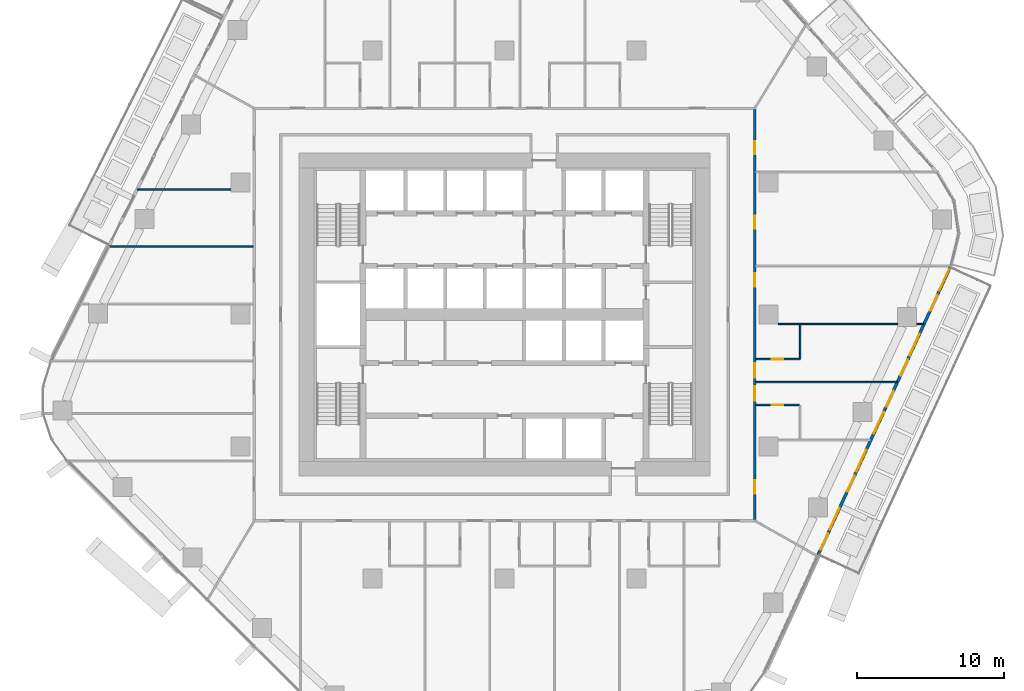
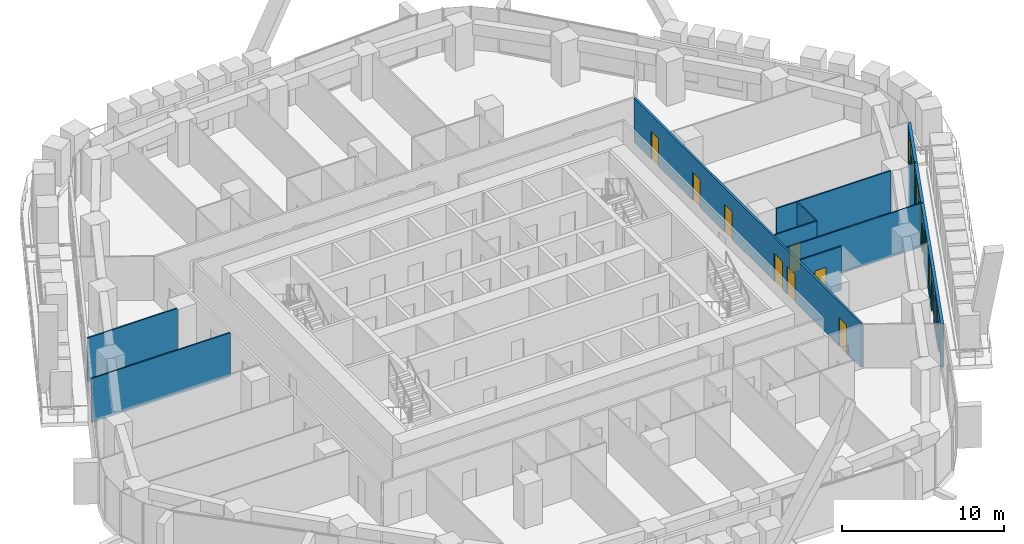
# One storey, part 14 of 25: 13 doors, 10 walls, 5 windows, 18 openings.
"""IFC4 building model written with IfcOpenShell, lengths in metres."""

from ifc_helpers import new_model, si_unit, direction, frame, frame_2d, origin, place, context, subcontext, project, spatial, rectangle, extrude, material, layer, layer_set, type_object, element, fill, save


model = new_model("IFC4")

# Units and contexts
model_context = context("Model", 3, precision=1e-05, world=origin(), true_north=direction((0.0, 1.0)))
body_context = subcontext(model_context, "Body", "Model", "MODEL_VIEW")
ifc_project = project(units=[si_unit("LENGTHUNIT", "METRE"), si_unit("AREAUNIT", "SQUARE_METRE"), si_unit("VOLUMEUNIT", "CUBIC_METRE"), si_unit("PLANEANGLEUNIT", "RADIAN"), si_unit("MASSUNIT", "GRAM", prefix="KILO")], contexts=[model_context])

# Site, building, storey
site_placement = place(None, origin())
site = spatial("IfcSite", under=ifc_project, at=site_placement, CompositionType="ELEMENT")
building_placement = place(site_placement, origin())
building = spatial("IfcBuilding", under=site, at=building_placement, Name="Dongbaek Canopy Tower", CompositionType="ELEMENT")
storey_placement = place(building_placement, frame((0.0, 0.0, 102.60009765625)))
storey = spatial("IfcBuildingStorey", under=building, at=storey_placement, Name="L21", CompositionType="ELEMENT", Elevation=102.60009765625)

# Wall, openings, doors
ifc_material_1 = material(Name="Gypsum board partition, steel stud, 2 x 15 mm fire board", Category="steel")
ifc_layer_1 = layer(ifc_material_1, 0.14990234375)
ifc_layer_set_1 = layer_set([ifc_layer_1], Name="Fire-rated partition 150 gypsum board")
wall_type_1 = type_object("IfcWallType", Name="Fire-rated partition 150 gypsum board", PredefinedType="PARTITIONING", material=ifc_layer_set_1)
wall_1_placement = place(storey_placement, frame((17.050048828125, 13.97509765625, 0.0), z_axis=(0.0, 0.0, 1.0), x_axis=(0.0, -1.0, 0.0)))
wall_1 = element("IfcWall", 1, at=wall_1_placement, inside=storey, type_object=wall_type_1, Name="Corridor partition", PredefinedType="PARTITIONING", context=body_context, shape_type="SweptSolid", body=[
    extrude(rectangle(XDim=27.9501953125, YDim=0.14990234375, at=frame_2d((13.97509765625, 0.0))), origin(), (0.0, 0.0, 1.0), 3.2998046875),
])
opening_1_placement = place(wall_1_placement, frame((25.273681640625, 0.0, 0.0)))
opening_1 = element("IfcOpeningElement", 2, at=opening_1_placement, cuts=wall_1, Name="Opening L21-D017", PredefinedType="OPENING", context=body_context, shape_type="SweptSolid", body=[
    extrude(rectangle(XDim=0.89990234375, YDim=2.10009765625, at=frame_2d((0.449951171875, 1.050048828125))), frame((0.0, 0.0849609375, 0.0), z_axis=(0.0, -1.0, 0.0), x_axis=(1.0, 0.0, 0.0)), (0.0, 0.0, 1.0), 0.169921875),
])
opening_2_placement = place(wall_1_placement, frame((18.85400390625, 0.0, 0.0)))
opening_2 = element("IfcOpeningElement", 3, at=opening_2_placement, cuts=wall_1, Name="Opening L21-D019", PredefinedType="OPENING", context=body_context, shape_type="SweptSolid", body=[
    extrude(rectangle(XDim=1.0, YDim=2.10009765625, at=frame_2d((0.5, 1.050048828125))), frame((0.0, 0.0849609375, 0.0), z_axis=(0.0, -1.0, 0.0), x_axis=(1.0, 0.0, 0.0)), (0.0, 0.0, 1.0), 0.169921875),
])
opening_3_placement = place(wall_1_placement, frame((17.298583984375, 0.0, 0.0)))
opening_3 = element("IfcOpeningElement", 4, at=opening_3_placement, cuts=wall_1, Name="Opening L21-D021", PredefinedType="OPENING", context=body_context, shape_type="SweptSolid", body=[
    extrude(rectangle(XDim=1.0, YDim=2.10009765625, at=frame_2d((0.5, 1.050048828125))), frame((0.0, 0.0849609375, 0.0), z_axis=(0.0, -1.0, 0.0), x_axis=(1.0, 0.0, 0.0)), (0.0, 0.0, 1.0), 0.169921875),
])
opening_4_placement = place(wall_1_placement, frame((11.170654296875, 0.0, 0.0)))
opening_4 = element("IfcOpeningElement", 5, at=opening_4_placement, cuts=wall_1, Name="Opening L21-D022", PredefinedType="OPENING", context=body_context, shape_type="SweptSolid", body=[
    extrude(rectangle(XDim=0.89990234375, YDim=2.10009765625, at=frame_2d((0.449951171875, 1.050048828125))), frame((0.0, 0.0849609375, 0.0), z_axis=(0.0, -1.0, 0.0), x_axis=(1.0, 0.0, 0.0)), (0.0, 0.0, 1.0), 0.169921875),
])
opening_5_placement = place(wall_1_placement, frame((7.242919921875, 0.0, 0.0)))
opening_5 = element("IfcOpeningElement", 6, at=opening_5_placement, cuts=wall_1, Name="Opening L21-D023", PredefinedType="OPENING", context=body_context, shape_type="SweptSolid", body=[
    extrude(rectangle(XDim=0.89990234375, YDim=2.10009765625, at=frame_2d((0.449951171875, 1.050048828125))), frame((0.0, 0.0849609375, 0.0), z_axis=(0.0, -1.0, 0.0), x_axis=(1.0, 0.0, 0.0)), (0.0, 0.0, 1.0), 0.169921875),
])
opening_6_placement = place(wall_1_placement, frame((2.15283203125, 0.0, 0.0)))
opening_6 = element("IfcOpeningElement", 7, at=opening_6_placement, cuts=wall_1, Name="Opening L21-D024", PredefinedType="OPENING", context=body_context, shape_type="SweptSolid", body=[
    extrude(rectangle(XDim=0.89990234375, YDim=2.10009765625, at=frame_2d((0.449951171875, 1.050048828125))), frame((0.0, 0.0849609375, 0.0), z_axis=(0.0, -1.0, 0.0), x_axis=(1.0, 0.0, 0.0)), (0.0, 0.0, 1.0), 0.169921875),
])
ifc_material_2 = material(Name="Timber veneered door leaf", Category="wood")
door_type_1 = type_object("IfcDoorType", Name="Guest room door 1000 x 2100", OperationType="SINGLE_SWING_LEFT", PredefinedType="DOOR", material=ifc_material_2)
door_1_placement = place(opening_2_placement, origin())
door_1 = element("IfcDoor", 8, at=door_1_placement, inside=storey, type_object=door_type_1, Name="Door L21-D019", OperationType="SINGLE_SWING_RIGHT", OverallHeight=2.10009765625, OverallWidth=1.0, PredefinedType="DOOR", context=body_context, shape_type="SweptSolid", body=[
    extrude(rectangle(XDim=1.0, YDim=2.10009765625, at=frame_2d((0.5, 1.050048828125))), frame((0.0, 0.02490234375, 0.0), z_axis=(0.0, -1.0, 0.0), x_axis=(1.0, 0.0, 0.0)), (0.0, 0.0, 1.0), 0.050048828125),
])
fill(opening_2, door_1)
door_2_placement = place(opening_3_placement, origin())
door_2 = element("IfcDoor", 9, at=door_2_placement, inside=storey, type_object=door_type_1, Name="Door L21-D021", OperationType="SINGLE_SWING_LEFT", OverallHeight=2.10009765625, OverallWidth=1.0, PredefinedType="DOOR", context=body_context, shape_type="SweptSolid", body=[
    extrude(rectangle(XDim=1.0, YDim=2.10009765625, at=frame_2d((0.5, 1.050048828125))), frame((0.0, 0.02490234375, 0.0), z_axis=(0.0, -1.0, 0.0), x_axis=(1.0, 0.0, 0.0)), (0.0, 0.0, 1.0), 0.050048828125),
])
fill(opening_3, door_2)
ifc_material_3 = material(Name="Timber veneered door leaf", Category="wood")
door_type_2 = type_object("IfcDoorType", Name="Room door 900 x 2100", OperationType="SINGLE_SWING_LEFT", PredefinedType="DOOR", material=ifc_material_3)
door_3_placement = place(opening_1_placement, origin())
door_3 = element("IfcDoor", 10, at=door_3_placement, inside=storey, type_object=door_type_2, Name="Door L21-D017", OperationType="SINGLE_SWING_LEFT", OverallHeight=2.10009765625, OverallWidth=0.89990234375, PredefinedType="DOOR", context=body_context, shape_type="SweptSolid", body=[
    extrude(rectangle(XDim=0.89990234375, YDim=2.10009765625, at=frame_2d((0.449951171875, 1.050048828125))), frame((0.0, 0.02490234375, 0.0), z_axis=(0.0, -1.0, 0.0), x_axis=(1.0, 0.0, 0.0)), (0.0, 0.0, 1.0), 0.050048828125),
])
fill(opening_1, door_3)
door_4_placement = place(opening_4_placement, origin())
door_4 = element("IfcDoor", 11, at=door_4_placement, inside=storey, type_object=door_type_2, Name="Door L21-D022", OperationType="SINGLE_SWING_RIGHT", OverallHeight=2.10009765625, OverallWidth=0.89990234375, PredefinedType="DOOR", context=body_context, shape_type="SweptSolid", body=[
    extrude(rectangle(XDim=0.89990234375, YDim=2.10009765625, at=frame_2d((0.449951171875, 1.050048828125))), frame((0.0, 0.02490234375, 0.0), z_axis=(0.0, -1.0, 0.0), x_axis=(1.0, 0.0, 0.0)), (0.0, 0.0, 1.0), 0.050048828125),
])
fill(opening_4, door_4)
door_5_placement = place(opening_5_placement, origin())
door_5 = element("IfcDoor", 12, at=door_5_placement, inside=storey, type_object=door_type_2, Name="Door L21-D023", OperationType="SINGLE_SWING_LEFT", OverallHeight=2.10009765625, OverallWidth=0.89990234375, PredefinedType="DOOR", context=body_context, shape_type="SweptSolid", body=[
    extrude(rectangle(XDim=0.89990234375, YDim=2.10009765625, at=frame_2d((0.449951171875, 1.050048828125))), frame((0.0, 0.02490234375, 0.0), z_axis=(0.0, -1.0, 0.0), x_axis=(1.0, 0.0, 0.0)), (0.0, 0.0, 1.0), 0.050048828125),
])
fill(opening_5, door_5)
door_6_placement = place(opening_6_placement, origin())
door_6 = element("IfcDoor", 13, at=door_6_placement, inside=storey, type_object=door_type_2, Name="Door L21-D024", OperationType="SINGLE_SWING_RIGHT", OverallHeight=2.10009765625, OverallWidth=0.89990234375, PredefinedType="DOOR", context=body_context, shape_type="SweptSolid", body=[
    extrude(rectangle(XDim=0.89990234375, YDim=2.10009765625, at=frame_2d((0.449951171875, 1.050048828125))), frame((0.0, 0.02490234375, 0.0), z_axis=(0.0, -1.0, 0.0), x_axis=(1.0, 0.0, 0.0)), (0.0, 0.0, 1.0), 0.050048828125),
])
fill(opening_6, door_6)

# Wall, opening, door
ifc_material_4 = material(Name="Gypsum board partition, steel stud, 2 x 12.5 mm board", Category="steel")
ifc_layer_2 = layer(ifc_material_4, 0.10009765625)
ifc_layer_set_2 = layer_set([ifc_layer_2], Name="Partition 100 gypsum board")
wall_type_2 = type_object("IfcWallType", Name="Partition 100 gypsum board", PredefinedType="PARTITIONING", material=ifc_layer_set_2)
wall_2_placement = place(storey_placement, frame((20.10009765625, -6.156982421875, 0.0), z_axis=(0.0, 0.0, 1.0), x_axis=(-1.0, 0.0, 0.0)))
wall_2 = element("IfcWall", 14, at=wall_2_placement, inside=storey, type_object=wall_type_2, Name="Partition", PredefinedType="PARTITIONING", context=body_context, shape_type="SweptSolid", body=[
    extrude(rectangle(XDim=2.97509765625, YDim=0.10009765625, at=frame_2d((1.487548828125, 0.0))), origin(), (0.0, 0.0, 1.0), 3.2998046875),
])
opening_7_placement = place(wall_2_placement, frame((1.10009765625, 0.0, 0.0)))
opening_7 = element("IfcOpeningElement", 15, at=opening_7_placement, cuts=wall_2, Name="Opening L21-D018", PredefinedType="OPENING", context=body_context, shape_type="SweptSolid", body=[
    extrude(rectangle(XDim=0.800048828125, YDim=2.10009765625, at=frame_2d((0.39990234375, 1.050048828125))), frame((0.0, 0.06005859375, 0.0), z_axis=(0.0, -1.0, 0.0), x_axis=(1.0, 0.0, 0.0)), (0.0, 0.0, 1.0), 0.1201171875),
])
ifc_material_5 = material(Name="Timber veneered door leaf", Category="wood")
door_type_3 = type_object("IfcDoorType", Name="En-suite door 800 x 2100", OperationType="SINGLE_SWING_LEFT", PredefinedType="DOOR", material=ifc_material_5)
door_7_placement = place(opening_7_placement, origin())
door_7 = element("IfcDoor", 16, at=door_7_placement, inside=storey, type_object=door_type_3, Name="Door L21-D018", OperationType="SINGLE_SWING_LEFT", OverallHeight=2.10009765625, OverallWidth=0.800048828125, PredefinedType="DOOR", context=body_context, shape_type="SweptSolid", body=[
    extrude(rectangle(XDim=0.800048828125, YDim=2.10009765625, at=frame_2d((0.39990234375, 1.050048828125))), frame((0.0, 0.02490234375, 0.0), z_axis=(0.0, -1.0, 0.0), x_axis=(1.0, 0.0, 0.0)), (0.0, 0.0, 1.0), 0.050048828125),
])
fill(opening_7, door_7)

# Wall
wall_3_placement = place(storey_placement, frame((17.125, -4.60107421875, 0.0), z_axis=(0.0, 0.0, 1.0), x_axis=(1.0, 0.0, 0.0)))
element("IfcWall", 17, at=wall_3_placement, inside=storey, type_object=wall_type_2, Name="Partition", PredefinedType="PARTITIONING", context=body_context, shape_type="SweptSolid", body=[
    extrude(rectangle(XDim=9.628662109375, YDim=0.10009765625, at=frame_2d((4.814453125, 0.0))), origin(), (0.0, 0.0, 1.0), 3.2998046875),
])

# Wall, opening, door
wall_4_placement = place(storey_placement, frame((17.125, -3.0458984375, 0.0), z_axis=(0.0, 0.0, 1.0), x_axis=(1.0, 0.0, 0.0)))
wall_4 = element("IfcWall", 18, at=wall_4_placement, inside=storey, type_object=wall_type_2, Name="Partition", PredefinedType="PARTITIONING", context=body_context, shape_type="SweptSolid", body=[
    extrude(rectangle(XDim=3.02490234375, YDim=0.10009765625, at=frame_2d((1.512451171875, 0.0))), origin(), (0.0, 0.0, 1.0), 3.2998046875),
])
opening_8_placement = place(wall_4_placement, frame((1.074951171875, 0.0, 0.0)))
opening_8 = element("IfcOpeningElement", 19, at=opening_8_placement, cuts=wall_4, Name="Opening L21-D020", PredefinedType="OPENING", context=body_context, shape_type="SweptSolid", body=[
    extrude(rectangle(XDim=0.800048828125, YDim=2.10009765625, at=frame_2d((0.39990234375, 1.050048828125))), frame((0.0, 0.06005859375, 0.0), z_axis=(0.0, -1.0, 0.0), x_axis=(1.0, 0.0, 0.0)), (0.0, 0.0, 1.0), 0.1201171875),
])
door_8_placement = place(opening_8_placement, origin())
door_8 = element("IfcDoor", 20, at=door_8_placement, inside=storey, type_object=door_type_3, Name="Door L21-D020", OperationType="SINGLE_SWING_RIGHT", OverallHeight=2.10009765625, OverallWidth=0.800048828125, PredefinedType="DOOR", context=body_context, shape_type="SweptSolid", body=[
    extrude(rectangle(XDim=0.800048828125, YDim=2.10009765625, at=frame_2d((0.39990234375, 1.050048828125))), frame((0.0, 0.02490234375, 0.0), z_axis=(0.0, -1.0, 0.0), x_axis=(1.0, 0.0, 0.0)), (0.0, 0.0, 1.0), 0.050048828125),
])
fill(opening_8, door_8)

# Walls
wall_5_placement = place(storey_placement, frame((18.64990234375, -0.64599609375, 0.0), z_axis=(0.0, 0.0, 1.0), x_axis=(1.0, 0.0, 0.0)))
element("IfcWall", 21, at=wall_5_placement, inside=storey, type_object=wall_type_2, Name="Partition", PredefinedType="PARTITIONING", context=body_context, shape_type="SweptSolid", body=[
    extrude(rectangle(XDim=8.135986328125, YDim=0.10009765625, at=frame_2d((4.06787109375, 0.0))), origin(), (0.0, 0.0, 1.0), 3.2998046875),
])
wall_6_placement = place(storey_placement, frame((28.0859375, -0.64599609375, 0.0), z_axis=(0.0, 0.0, 1.0), x_axis=(1.0, 0.0, 0.0)))
element("IfcWall", 22, at=wall_6_placement, inside=storey, type_object=wall_type_2, Name="Partition", PredefinedType="PARTITIONING", context=body_context, shape_type="SweptSolid", body=[
    extrude(rectangle(XDim=0.483154296875, YDim=0.10009765625, at=frame_2d((0.24169921875, 0.0))), origin(), (0.0, 0.0, 1.0), 3.2998046875),
])
wall_7_placement = place(storey_placement, frame((-26.965087890625, 4.6279296875, 0.0), z_axis=(0.0, 0.0, 1.0), x_axis=(1.0, 0.0, 0.0)))
element("IfcWall", 23, at=wall_7_placement, inside=storey, type_object=wall_type_2, Name="Partition", PredefinedType="PARTITIONING", context=body_context, shape_type="SweptSolid", body=[
    extrude(rectangle(XDim=9.840087890625, YDim=0.10009765625, at=frame_2d((4.919921875, 0.0))), origin(), (0.0, 0.0, 1.0), 3.2998046875),
])
wall_8_placement = place(storey_placement, frame((-25.013427734375, 8.52294921875, 0.0), z_axis=(0.0, 0.0, 1.0), x_axis=(1.0, 0.0, 0.0)))
element("IfcWall", 24, at=wall_8_placement, inside=storey, type_object=wall_type_2, Name="Partition", PredefinedType="PARTITIONING", context=body_context, shape_type="SweptSolid", body=[
    extrude(rectangle(XDim=6.363525390625, YDim=0.10009765625, at=frame_2d((3.181640625, 0.0))), origin(), (0.0, 0.0, 1.0), 3.2998046875),
])
wall_9_placement = place(storey_placement, frame((20.14990234375, -2.99560546875, 0.0), z_axis=(0.0, 0.0, 1.0), x_axis=(0.0, 1.0, 0.0)))
element("IfcWall", 25, at=wall_9_placement, inside=storey, type_object=wall_type_2, Name="Partition", PredefinedType="PARTITIONING", context=body_context, shape_type="SweptSolid", body=[
    extrude(rectangle(XDim=2.299560546875, YDim=0.10009765625, at=frame_2d((1.14990234375, 0.0))), origin(), (0.0, 0.0, 1.0), 3.2998046875),
])

# Wall, openings, doors, windows
ifc_material_6 = material(Name="Aluminium window wall", Category="aluminium")
ifc_layer_3 = layer(ifc_material_6, 0.199951171875)
ifc_layer_set_3 = layer_set([ifc_layer_3], Name="Window wall 200")
wall_type_3 = type_object("IfcWallType", Name="Window wall 200", PredefinedType="SOLIDWALL", material=ifc_layer_set_3)
wall_10_placement = place(storey_placement, frame((21.329345703125, -16.468017578125, 0.0), z_axis=(0.0, 0.0, 1.0), x_axis=(0.417117833448, 0.908852415423, 0.0)))
wall_10 = element("IfcWall", 26, at=wall_10_placement, inside=storey, type_object=wall_type_3, Name="Window wall L21 5", PredefinedType="SOLIDWALL", context=body_context, shape_type="SweptSolid", body=[
    extrude(rectangle(XDim=21.761474609375, YDim=0.199951171875, at=frame_2d((10.880859375, 0.0))), origin(), (0.0, 0.0, 1.0), 3.25),
])
opening_9_placement = place(wall_10_placement, frame((2.0, 0.0, 0.60009765625)))
opening_9 = element("IfcOpeningElement", 27, at=opening_9_placement, cuts=wall_10, Name="Opening W1", PredefinedType="OPENING", context=body_context, shape_type="SweptSolid", body=[
    extrude(rectangle(XDim=1.60009765625, YDim=2.39990234375, at=frame_2d((0.800048828125, 1.199951171875))), frame((0.0, 0.10986328125, 0.0), z_axis=(0.0, -1.0, 0.0), x_axis=(1.0, 0.0, 0.0)), (0.0, 0.0, 1.0), 0.219970703125),
])
opening_10_placement = place(wall_10_placement, frame((0.5, 0.0, 0.0)))
opening_10 = element("IfcOpeningElement", 28, at=opening_10_placement, cuts=wall_10, Name="Opening L21-B15", PredefinedType="OPENING", context=body_context, shape_type="SweptSolid", body=[
    extrude(rectangle(XDim=1.199951171875, YDim=2.39990234375, at=frame_2d((0.60009765625, 1.199951171875))), frame((0.0, 0.10986328125, 0.0), z_axis=(0.0, -1.0, 0.0), x_axis=(1.0, 0.0, 0.0)), (0.0, 0.0, 1.0), 0.219970703125),
])
opening_11_placement = place(wall_10_placement, frame((6.352294921875, 0.0, 0.60009765625)))
opening_11 = element("IfcOpeningElement", 29, at=opening_11_placement, cuts=wall_10, Name="Opening W1", PredefinedType="OPENING", context=body_context, shape_type="SweptSolid", body=[
    extrude(rectangle(XDim=1.60009765625, YDim=2.39990234375, at=frame_2d((0.800048828125, 1.199951171875))), frame((0.0, 0.10986328125, 0.0), z_axis=(0.0, -1.0, 0.0), x_axis=(1.0, 0.0, 0.0)), (0.0, 0.0, 1.0), 0.219970703125),
])
opening_12_placement = place(wall_10_placement, frame((4.852294921875, 0.0, 0.0)))
opening_12 = element("IfcOpeningElement", 30, at=opening_12_placement, cuts=wall_10, Name="Opening L21-B16", PredefinedType="OPENING", context=body_context, shape_type="SweptSolid", body=[
    extrude(rectangle(XDim=1.199951171875, YDim=2.39990234375, at=frame_2d((0.60009765625, 1.199951171875))), frame((0.0, 0.10986328125, 0.0), z_axis=(0.0, -1.0, 0.0), x_axis=(1.0, 0.0, 0.0)), (0.0, 0.0, 1.0), 0.219970703125),
])
opening_13_placement = place(wall_10_placement, frame((9.20458984375, 0.0, 0.60009765625)))
opening_13 = element("IfcOpeningElement", 31, at=opening_13_placement, cuts=wall_10, Name="Opening W1", PredefinedType="OPENING", context=body_context, shape_type="SweptSolid", body=[
    extrude(rectangle(XDim=1.60009765625, YDim=2.39990234375, at=frame_2d((0.800048828125, 1.199951171875))), frame((0.0, 0.10986328125, 0.0), z_axis=(0.0, -1.0, 0.0), x_axis=(1.0, 0.0, 0.0)), (0.0, 0.0, 1.0), 0.219970703125),
])
opening_14_placement = place(wall_10_placement, frame((11.20458984375, 0.0, 0.0)))
opening_14 = element("IfcOpeningElement", 32, at=opening_14_placement, cuts=wall_10, Name="Opening L21-B17", PredefinedType="OPENING", context=body_context, shape_type="SweptSolid", body=[
    extrude(rectangle(XDim=1.199951171875, YDim=2.39990234375, at=frame_2d((0.60009765625, 1.199951171875))), frame((0.0, 0.10986328125, 0.0), z_axis=(0.0, -1.0, 0.0), x_axis=(1.0, 0.0, 0.0)), (0.0, 0.0, 1.0), 0.219970703125),
])
opening_15_placement = place(wall_10_placement, frame((15.05712890625, 0.0, 0.60009765625)))
opening_15 = element("IfcOpeningElement", 33, at=opening_15_placement, cuts=wall_10, Name="Opening W1", PredefinedType="OPENING", context=body_context, shape_type="SweptSolid", body=[
    extrude(rectangle(XDim=1.60009765625, YDim=2.39990234375, at=frame_2d((0.800048828125, 1.199951171875))), frame((0.0, 0.10986328125, 0.0), z_axis=(0.0, -1.0, 0.0), x_axis=(1.0, 0.0, 0.0)), (0.0, 0.0, 1.0), 0.219970703125),
])
opening_16_placement = place(wall_10_placement, frame((13.55712890625, 0.0, 0.0)))
opening_16 = element("IfcOpeningElement", 34, at=opening_16_placement, cuts=wall_10, Name="Opening L21-B18", PredefinedType="OPENING", context=body_context, shape_type="SweptSolid", body=[
    extrude(rectangle(XDim=1.199951171875, YDim=2.39990234375, at=frame_2d((0.60009765625, 1.199951171875))), frame((0.0, 0.10986328125, 0.0), z_axis=(0.0, -1.0, 0.0), x_axis=(1.0, 0.0, 0.0)), (0.0, 0.0, 1.0), 0.219970703125),
])
opening_17_placement = place(wall_10_placement, frame((19.909423828125, 0.0, 0.60009765625)))
opening_17 = element("IfcOpeningElement", 35, at=opening_17_placement, cuts=wall_10, Name="Opening W1", PredefinedType="OPENING", context=body_context, shape_type="SweptSolid", body=[
    extrude(rectangle(XDim=1.60009765625, YDim=2.39990234375, at=frame_2d((0.800048828125, 1.199951171875))), frame((0.0, 0.10986328125, 0.0), z_axis=(0.0, -1.0, 0.0), x_axis=(1.0, 0.0, 0.0)), (0.0, 0.0, 1.0), 0.219970703125),
])
opening_18_placement = place(wall_10_placement, frame((18.409423828125, 0.0, 0.0)))
opening_18 = element("IfcOpeningElement", 36, at=opening_18_placement, cuts=wall_10, Name="Opening L21-B19", PredefinedType="OPENING", context=body_context, shape_type="SweptSolid", body=[
    extrude(rectangle(XDim=1.199951171875, YDim=2.39990234375, at=frame_2d((0.60009765625, 1.199951171875))), frame((0.0, 0.10986328125, 0.0), z_axis=(0.0, -1.0, 0.0), x_axis=(1.0, 0.0, 0.0)), (0.0, 0.0, 1.0), 0.219970703125),
])
ifc_material_7 = material(Name="Clear glazing in aluminium frame", Category="aluminium")
door_type_4 = type_object("IfcDoorType", Name="Balcony door BD1 1200 x 2400", OperationType="SLIDING_TO_LEFT", PredefinedType="DOOR", material=ifc_material_7)
door_9_placement = place(opening_10_placement, origin())
door_9 = element("IfcDoor", 37, at=door_9_placement, inside=storey, type_object=door_type_4, Name="Balcony door L21-B15", OperationType="SLIDING_TO_LEFT", OverallHeight=2.39990234375, OverallWidth=1.199951171875, PredefinedType="DOOR", context=body_context, shape_type="SweptSolid", body=[
    extrude(rectangle(XDim=1.199951171875, YDim=2.39990234375, at=frame_2d((0.60009765625, 1.199951171875))), frame((0.0, 0.02490234375, 0.0), z_axis=(0.0, -1.0, 0.0), x_axis=(1.0, 0.0, 0.0)), (0.0, 0.0, 1.0), 0.050048828125),
])
fill(opening_10, door_9)
door_10_placement = place(opening_12_placement, origin())
door_10 = element("IfcDoor", 38, at=door_10_placement, inside=storey, type_object=door_type_4, Name="Balcony door L21-B16", OperationType="SLIDING_TO_LEFT", OverallHeight=2.39990234375, OverallWidth=1.199951171875, PredefinedType="DOOR", context=body_context, shape_type="SweptSolid", body=[
    extrude(rectangle(XDim=1.199951171875, YDim=2.39990234375, at=frame_2d((0.60009765625, 1.199951171875))), frame((0.0, 0.02490234375, 0.0), z_axis=(0.0, -1.0, 0.0), x_axis=(1.0, 0.0, 0.0)), (0.0, 0.0, 1.0), 0.050048828125),
])
fill(opening_12, door_10)
door_11_placement = place(opening_14_placement, origin())
door_11 = element("IfcDoor", 39, at=door_11_placement, inside=storey, type_object=door_type_4, Name="Balcony door L21-B17", OperationType="SLIDING_TO_LEFT", OverallHeight=2.39990234375, OverallWidth=1.199951171875, PredefinedType="DOOR", context=body_context, shape_type="SweptSolid", body=[
    extrude(rectangle(XDim=1.199951171875, YDim=2.39990234375, at=frame_2d((0.60009765625, 1.199951171875))), frame((0.0, 0.02490234375, 0.0), z_axis=(0.0, -1.0, 0.0), x_axis=(1.0, 0.0, 0.0)), (0.0, 0.0, 1.0), 0.050048828125),
])
fill(opening_14, door_11)
door_12_placement = place(opening_16_placement, origin())
door_12 = element("IfcDoor", 40, at=door_12_placement, inside=storey, type_object=door_type_4, Name="Balcony door L21-B18", OperationType="SLIDING_TO_LEFT", OverallHeight=2.39990234375, OverallWidth=1.199951171875, PredefinedType="DOOR", context=body_context, shape_type="SweptSolid", body=[
    extrude(rectangle(XDim=1.199951171875, YDim=2.39990234375, at=frame_2d((0.60009765625, 1.199951171875))), frame((0.0, 0.02490234375, 0.0), z_axis=(0.0, -1.0, 0.0), x_axis=(1.0, 0.0, 0.0)), (0.0, 0.0, 1.0), 0.050048828125),
])
fill(opening_16, door_12)
door_13_placement = place(opening_18_placement, origin())
door_13 = element("IfcDoor", 41, at=door_13_placement, inside=storey, type_object=door_type_4, Name="Balcony door L21-B19", OperationType="SLIDING_TO_LEFT", OverallHeight=2.39990234375, OverallWidth=1.199951171875, PredefinedType="DOOR", context=body_context, shape_type="SweptSolid", body=[
    extrude(rectangle(XDim=1.199951171875, YDim=2.39990234375, at=frame_2d((0.60009765625, 1.199951171875))), frame((0.0, 0.02490234375, 0.0), z_axis=(0.0, -1.0, 0.0), x_axis=(1.0, 0.0, 0.0)), (0.0, 0.0, 1.0), 0.050048828125),
])
fill(opening_18, door_13)
ifc_material_8 = material(Name="Clear glazing in aluminium frame", Category="aluminium")
window_type = type_object("IfcWindowType", Name="Window W1 1600 x 2400", PartitioningType="SINGLE_PANEL", PredefinedType="WINDOW", material=ifc_material_8)
window_1_placement = place(opening_9_placement, origin())
window_1 = element("IfcWindow", 42, at=window_1_placement, inside=storey, type_object=window_type, Name="Window L21 5.1", OverallHeight=2.39990234375, OverallWidth=1.60009765625, PartitioningType="SINGLE_PANEL", PredefinedType="WINDOW", context=body_context, shape_type="SweptSolid", body=[
    extrude(rectangle(XDim=1.60009765625, YDim=2.39990234375, at=frame_2d((0.800048828125, 1.199951171875))), frame((0.0, 0.030029296875, 0.0), z_axis=(0.0, -1.0, 0.0), x_axis=(1.0, 0.0, 0.0)), (0.0, 0.0, 1.0), 0.06005859375),
])
fill(opening_9, window_1)
window_2_placement = place(opening_11_placement, origin())
window_2 = element("IfcWindow", 43, at=window_2_placement, inside=storey, type_object=window_type, Name="Window L21 5.2", OverallHeight=2.39990234375, OverallWidth=1.60009765625, PartitioningType="SINGLE_PANEL", PredefinedType="WINDOW", context=body_context, shape_type="SweptSolid", body=[
    extrude(rectangle(XDim=1.60009765625, YDim=2.39990234375, at=frame_2d((0.800048828125, 1.199951171875))), frame((0.0, 0.030029296875, 0.0), z_axis=(0.0, -1.0, 0.0), x_axis=(1.0, 0.0, 0.0)), (0.0, 0.0, 1.0), 0.06005859375),
])
fill(opening_11, window_2)
window_3_placement = place(opening_13_placement, origin())
window_3 = element("IfcWindow", 44, at=window_3_placement, inside=storey, type_object=window_type, Name="Window L21 5.3", OverallHeight=2.39990234375, OverallWidth=1.60009765625, PartitioningType="SINGLE_PANEL", PredefinedType="WINDOW", context=body_context, shape_type="SweptSolid", body=[
    extrude(rectangle(XDim=1.60009765625, YDim=2.39990234375, at=frame_2d((0.800048828125, 1.199951171875))), frame((0.0, 0.030029296875, 0.0), z_axis=(0.0, -1.0, 0.0), x_axis=(1.0, 0.0, 0.0)), (0.0, 0.0, 1.0), 0.06005859375),
])
fill(opening_13, window_3)
window_4_placement = place(opening_15_placement, origin())
window_4 = element("IfcWindow", 45, at=window_4_placement, inside=storey, type_object=window_type, Name="Window L21 5.4", OverallHeight=2.39990234375, OverallWidth=1.60009765625, PartitioningType="SINGLE_PANEL", PredefinedType="WINDOW", context=body_context, shape_type="SweptSolid", body=[
    extrude(rectangle(XDim=1.60009765625, YDim=2.39990234375, at=frame_2d((0.800048828125, 1.199951171875))), frame((0.0, 0.030029296875, 0.0), z_axis=(0.0, -1.0, 0.0), x_axis=(1.0, 0.0, 0.0)), (0.0, 0.0, 1.0), 0.06005859375),
])
fill(opening_15, window_4)
window_5_placement = place(opening_17_placement, origin())
window_5 = element("IfcWindow", 46, at=window_5_placement, inside=storey, type_object=window_type, Name="Window L21 5.5", OverallHeight=2.39990234375, OverallWidth=1.60009765625, PartitioningType="SINGLE_PANEL", PredefinedType="WINDOW", context=body_context, shape_type="SweptSolid", body=[
    extrude(rectangle(XDim=1.60009765625, YDim=2.39990234375, at=frame_2d((0.800048828125, 1.199951171875))), frame((0.0, 0.030029296875, 0.0), z_axis=(0.0, -1.0, 0.0), x_axis=(1.0, 0.0, 0.0)), (0.0, 0.0, 1.0), 0.06005859375),
])
fill(opening_17, window_5)

save(model, "model.ifc")
